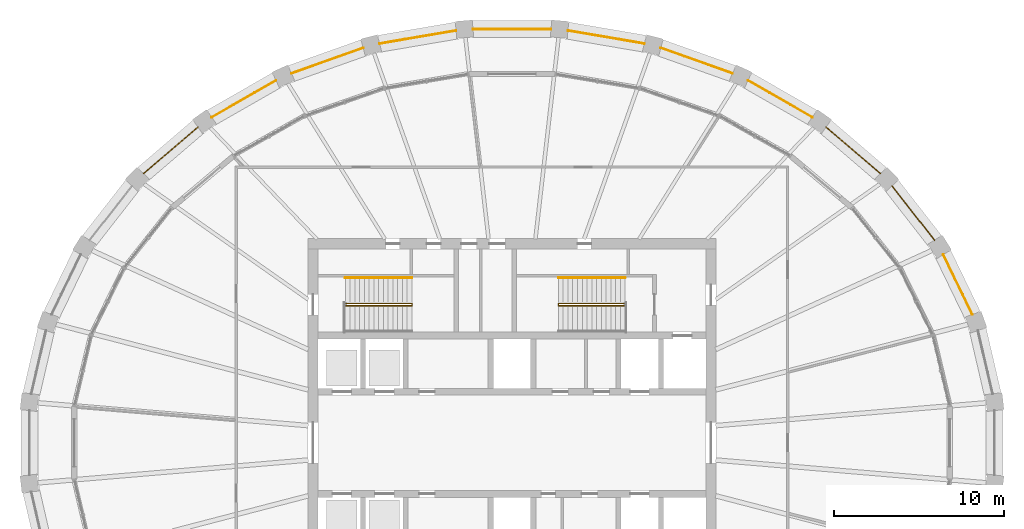
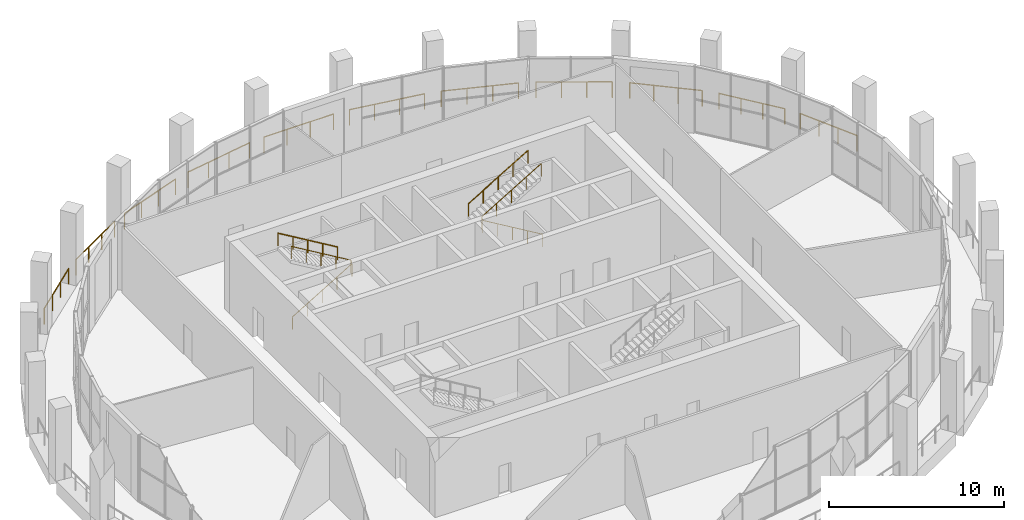
# One storey, part 15 of 16: 15 railings.
"""IFC4 building model written with IfcOpenShell, lengths in metres."""

from ifc_helpers import new_model, si_unit, direction, frame, origin, origin_2d, place, context, subcontext, project, spatial, circle, extrude, material, type_object, element, save


model = new_model("IFC4")

# Units and contexts
model_context = context("Model", 3, precision=1e-05, world=origin(), true_north=direction((0.0, 1.0)))
body_context = subcontext(model_context, "Body", "Model", "MODEL_VIEW")
ifc_project = project(units=[si_unit("LENGTHUNIT", "METRE"), si_unit("AREAUNIT", "SQUARE_METRE"), si_unit("VOLUMEUNIT", "CUBIC_METRE"), si_unit("PLANEANGLEUNIT", "RADIAN"), si_unit("MASSUNIT", "GRAM", prefix="KILO")], contexts=[model_context])

# Site, building, storey
site_placement = place(None, origin())
site = spatial("IfcSite", under=ifc_project, at=site_placement, CompositionType="ELEMENT")
building_placement = place(site_placement, origin())
building = spatial("IfcBuilding", under=site, at=building_placement, Name="Halqa Exchange Tower", CompositionType="ELEMENT")
storey_placement = place(building_placement, frame((0.0, 0.0, 333.300048828125)))
storey = spatial("IfcBuildingStorey", under=building, at=storey_placement, Name="L78", CompositionType="ELEMENT", Elevation=333.300048828125)

# Railings
ifc_material = material(Name="Stainless steel", Category="steel")
railing_type_1 = type_object("IfcRailingType", Name="Guard 1100 stainless steel", PredefinedType="GUARDRAIL", material=ifc_material)
railing_1_placement = place(storey_placement, frame((27.055419921875, 7.54150390625, 0.0)))
element("IfcRailing", 1, at=railing_1_placement, inside=storey, type_object=railing_type_1, Name="Loggia guard 2", PredefinedType="GUARDRAIL", context=body_context, shape_type="SweptSolid", body=[
    extrude(circle(Radius=0.02392578125, at=origin_2d()), frame((0.0, 0.0, 1.076171875), z_axis=(-0.435146748862, 0.900359543158, 0.0), x_axis=(-0.900359543158, -0.435146748862, 0.0)), (0.0, 0.0, 1.0), 3.913818359375),
    extrude(circle(Radius=0.02099609375, at=origin_2d()), origin(), (0.0, 0.0, 1.0), 1.052001953125),
    extrude(circle(Radius=0.02099609375, at=origin_2d()), frame((-0.567626953125, 1.174560546875, 0.0)), (0.0, 0.0, 1.0), 1.052001953125),
    extrude(circle(Radius=0.02099609375, at=origin_2d()), frame((-1.135498046875, 2.349365234375, 0.0)), (0.0, 0.0, 1.0), 1.052001953125),
    extrude(circle(Radius=0.02099609375, at=origin_2d()), frame((-1.703125, 3.52392578125, 0.0)), (0.0, 0.0, 1.0), 1.052001953125),
])
railing_2_placement = place(storey_placement, frame((24.827392578125, 11.909912109375, 0.0)))
element("IfcRailing", 2, at=railing_2_placement, inside=storey, type_object=railing_type_1, Name="Loggia guard 3", PredefinedType="GUARDRAIL", context=body_context, shape_type="SweptSolid", body=[
    extrude(circle(Radius=0.02392578125, at=origin_2d()), frame((0.0, 0.0, 1.076171875), z_axis=(-0.614821078368, 0.788666622594, 0.0), x_axis=(-0.788666622594, -0.614821078368, 0.0)), (0.0, 0.0, 1.0), 4.048828125),
    extrude(circle(Radius=0.02099609375, at=origin_2d()), origin(), (0.0, 0.0, 1.0), 1.052001953125),
    extrude(circle(Radius=0.02099609375, at=origin_2d()), frame((-0.829833984375, 1.064453125, 0.0)), (0.0, 0.0, 1.0), 1.052001953125),
    extrude(circle(Radius=0.02099609375, at=origin_2d()), frame((-1.659423828125, 2.128662109375, 0.0)), (0.0, 0.0, 1.0), 1.052001953125),
    extrude(circle(Radius=0.02099609375, at=origin_2d()), frame((-2.4892578125, 3.193115234375, 0.0)), (0.0, 0.0, 1.0), 1.052001953125),
])
railing_3_placement = place(storey_placement, frame((21.651123046875, 15.82275390625, 0.0)))
element("IfcRailing", 3, at=railing_3_placement, inside=storey, type_object=railing_type_1, Name="Loggia guard 4", PredefinedType="GUARDRAIL", context=body_context, shape_type="SweptSolid", body=[
    extrude(circle(Radius=0.02392578125, at=origin_2d()), frame((0.0, 0.0, 1.076171875), z_axis=(-0.75927300229, 0.650772239723, 0.0), x_axis=(-0.650772239723, -0.75927300229, 0.0)), (0.0, 0.0, 1.0), 4.203125),
    extrude(circle(Radius=0.02099609375, at=origin_2d()), origin(), (0.0, 0.0, 1.0), 1.052001953125),
    extrude(circle(Radius=0.02099609375, at=origin_2d()), frame((-1.063720703125, 0.911865234375, 0.0)), (0.0, 0.0, 1.0), 1.052001953125),
    extrude(circle(Radius=0.02099609375, at=origin_2d()), frame((-2.127685546875, 1.823486328125, 0.0)), (0.0, 0.0, 1.0), 1.052001953125),
    extrude(circle(Radius=0.02099609375, at=origin_2d()), frame((-3.19140625, 2.7353515625, 0.0)), (0.0, 0.0, 1.0), 1.052001953125),
])
railing_4_placement = place(storey_placement, frame((17.646240234375, 19.132080078125, 0.0)))
element("IfcRailing", 4, at=railing_4_placement, inside=storey, type_object=railing_type_1, Name="Loggia guard 5", PredefinedType="GUARDRAIL", context=body_context, shape_type="SweptSolid", body=[
    extrude(circle(Radius=0.02392578125, at=origin_2d()), frame((0.0, 0.0, 1.076171875), z_axis=(-0.867752650497, 0.496996315434, 0.0), x_axis=(-0.496996315434, -0.867752650497, 0.0)), (0.0, 0.0, 1.0), 4.353271484375),
    extrude(circle(Radius=0.02099609375, at=origin_2d()), origin(), (0.0, 0.0, 1.0), 1.052001953125),
    extrude(circle(Radius=0.02099609375, at=origin_2d()), frame((-1.25927734375, 0.72119140625, 0.0)), (0.0, 0.0, 1.0), 1.052001953125),
    extrude(circle(Radius=0.02099609375, at=origin_2d()), frame((-2.518310546875, 1.4423828125, 0.0)), (0.0, 0.0, 1.0), 1.052001953125),
    extrude(circle(Radius=0.02099609375, at=origin_2d()), frame((-3.777587890625, 2.16357421875, 0.0)), (0.0, 0.0, 1.0), 1.052001953125),
])
railing_5_placement = place(storey_placement, frame((12.963623046875, 21.71142578125, 0.0)))
element("IfcRailing", 5, at=railing_5_placement, inside=storey, type_object=railing_type_1, Name="Loggia guard 6", PredefinedType="GUARDRAIL", context=body_context, shape_type="SweptSolid", body=[
    extrude(circle(Radius=0.02392578125, at=origin_2d()), frame((0.0, 0.0, 1.076171875), z_axis=(-0.942364531835, 0.334587939321, 0.0), x_axis=(-0.334587939321, -0.942364531835, 0.0)), (0.0, 0.0, 1.0), 4.477294921875),
    extrude(circle(Radius=0.02099609375, at=origin_2d()), origin(), (0.0, 0.0, 1.0), 1.052001953125),
    extrude(circle(Radius=0.02099609375, at=origin_2d()), frame((-1.406494140625, 0.499267578125, 0.0)), (0.0, 0.0, 1.0), 1.052001953125),
    extrude(circle(Radius=0.02099609375, at=origin_2d()), frame((-2.812744140625, 0.998779296875, 0.0)), (0.0, 0.0, 1.0), 1.052001953125),
    extrude(circle(Radius=0.02099609375, at=origin_2d()), frame((-4.21923828125, 1.498046875, 0.0)), (0.0, 0.0, 1.0), 1.052001953125),
])
railing_6_placement = place(storey_placement, frame((7.7802734375, 23.460693359375, 0.0)))
element("IfcRailing", 6, at=railing_6_placement, inside=storey, type_object=railing_type_1, Name="Loggia guard 7", PredefinedType="GUARDRAIL", context=body_context, shape_type="SweptSolid", body=[
    extrude(circle(Radius=0.02392578125, at=origin_2d()), frame((0.0, 0.0, 1.076171875), z_axis=(-0.985768911013, 0.168106079843, 0.0), x_axis=(-0.168106079843, -0.985768911013, 0.0)), (0.0, 0.0, 1.0), 4.558837890625),
    extrude(circle(Radius=0.02099609375, at=origin_2d()), origin(), (0.0, 0.0, 1.0), 1.052001953125),
    extrude(circle(Radius=0.02099609375, at=origin_2d()), frame((-1.498046875, 0.25537109375, 0.0)), (0.0, 0.0, 1.0), 1.052001953125),
    extrude(circle(Radius=0.02099609375, at=origin_2d()), frame((-2.995849609375, 0.510986328125, 0.0)), (0.0, 0.0, 1.0), 1.052001953125),
    extrude(circle(Radius=0.02099609375, at=origin_2d()), frame((-4.493896484375, 0.766357421875, 0.0)), (0.0, 0.0, 1.0), 1.052001953125),
])
railing_7_placement = place(storey_placement, frame((2.29345703125, 24.31103515625, 0.0)))
element("IfcRailing", 7, at=railing_7_placement, inside=storey, type_object=railing_type_1, Name="Loggia guard 8", PredefinedType="GUARDRAIL", context=body_context, shape_type="SweptSolid", body=[
    extrude(circle(Radius=0.02392578125, at=origin_2d()), frame((0.0, 0.0, 1.076171875), z_axis=(-1.0, 0.0, 0.0), x_axis=(0.0, -1.0, 0.0)), (0.0, 0.0, 1.0), 4.5869140625),
    extrude(circle(Radius=0.02099609375, at=origin_2d()), origin(), (0.0, 0.0, 1.0), 1.052001953125),
    extrude(circle(Radius=0.02099609375, at=origin_2d()), frame((-1.529052734375, 0.0, 0.0)), (0.0, 0.0, 1.0), 1.052001953125),
    extrude(circle(Radius=0.02099609375, at=origin_2d()), frame((-3.057861328125, 0.0, 0.0)), (0.0, 0.0, 1.0), 1.052001953125),
    extrude(circle(Radius=0.02099609375, at=origin_2d()), frame((-4.5869140625, 0.0, 0.0)), (0.0, 0.0, 1.0), 1.052001953125),
])
railing_8_placement = place(storey_placement, frame((-3.286376953125, 24.22705078125, 0.0)))
element("IfcRailing", 8, at=railing_8_placement, inside=storey, type_object=railing_type_1, Name="Loggia guard 9", PredefinedType="GUARDRAIL", context=body_context, shape_type="SweptSolid", body=[
    extrude(circle(Radius=0.02392578125, at=origin_2d()), frame((0.0, 0.0, 1.076171875), z_axis=(-0.985768911013, -0.168106079843, 0.0), x_axis=(0.168106079843, -0.985768911013, 0.0)), (0.0, 0.0, 1.0), 4.558837890625),
    extrude(circle(Radius=0.02099609375, at=origin_2d()), origin(), (0.0, 0.0, 1.0), 1.052001953125),
    extrude(circle(Radius=0.02099609375, at=origin_2d()), frame((-1.498046875, -0.25537109375, 0.0)), (0.0, 0.0, 1.0), 1.052001953125),
    extrude(circle(Radius=0.02099609375, at=origin_2d()), frame((-2.995849609375, -0.510986328125, 0.0)), (0.0, 0.0, 1.0), 1.052001953125),
    extrude(circle(Radius=0.02099609375, at=origin_2d()), frame((-4.493896484375, -0.766357421875, 0.0)), (0.0, 0.0, 1.0), 1.052001953125),
])
railing_9_placement = place(storey_placement, frame((-8.744384765625, 23.20947265625, 0.0)))
element("IfcRailing", 9, at=railing_9_placement, inside=storey, type_object=railing_type_1, Name="Loggia guard 10", PredefinedType="GUARDRAIL", context=body_context, shape_type="SweptSolid", body=[
    extrude(circle(Radius=0.02392578125, at=origin_2d()), frame((0.0, 0.0, 1.076171875), z_axis=(-0.942364531835, -0.334587939321, 0.0), x_axis=(0.334587939321, -0.942364531835, 0.0)), (0.0, 0.0, 1.0), 4.477294921875),
    extrude(circle(Radius=0.02099609375, at=origin_2d()), origin(), (0.0, 0.0, 1.0), 1.052001953125),
    extrude(circle(Radius=0.02099609375, at=origin_2d()), frame((-1.406494140625, -0.499267578125, 0.0)), (0.0, 0.0, 1.0), 1.052001953125),
    extrude(circle(Radius=0.02099609375, at=origin_2d()), frame((-2.812744140625, -0.998779296875, 0.0)), (0.0, 0.0, 1.0), 1.052001953125),
    extrude(circle(Radius=0.02099609375, at=origin_2d()), frame((-4.21923828125, -1.498046875, 0.0)), (0.0, 0.0, 1.0), 1.052001953125),
])
railing_10_placement = place(storey_placement, frame((-13.86865234375, 21.295654296875, 0.0)))
element("IfcRailing", 10, at=railing_10_placement, inside=storey, type_object=railing_type_1, Name="Loggia guard 11", PredefinedType="GUARDRAIL", context=body_context, shape_type="SweptSolid", body=[
    extrude(circle(Radius=0.02392578125, at=origin_2d()), frame((0.0, 0.0, 1.076171875), z_axis=(-0.867752650497, -0.496996315434, 0.0), x_axis=(0.496996315434, -0.867752650497, 0.0)), (0.0, 0.0, 1.0), 4.353271484375),
    extrude(circle(Radius=0.02099609375, at=origin_2d()), origin(), (0.0, 0.0, 1.0), 1.052001953125),
    extrude(circle(Radius=0.02099609375, at=origin_2d()), frame((-1.25927734375, -0.72119140625, 0.0)), (0.0, 0.0, 1.0), 1.052001953125),
    extrude(circle(Radius=0.02099609375, at=origin_2d()), frame((-2.518310546875, -1.4423828125, 0.0)), (0.0, 0.0, 1.0), 1.052001953125),
    extrude(circle(Radius=0.02099609375, at=origin_2d()), frame((-3.777587890625, -2.16357421875, 0.0)), (0.0, 0.0, 1.0), 1.052001953125),
])
railing_11_placement = place(storey_placement, frame((-18.459716796875, 18.55810546875, 0.0)))
element("IfcRailing", 11, at=railing_11_placement, inside=storey, type_object=railing_type_1, Name="Loggia guard 12", PredefinedType="GUARDRAIL", context=body_context, shape_type="SweptSolid", body=[
    extrude(circle(Radius=0.02392578125, at=origin_2d()), frame((0.0, 0.0, 1.076171875), z_axis=(-0.75927300229, -0.650772239723, 0.0), x_axis=(0.650772239723, -0.75927300229, 0.0)), (0.0, 0.0, 1.0), 4.203125),
    extrude(circle(Radius=0.02099609375, at=origin_2d()), origin(), (0.0, 0.0, 1.0), 1.052001953125),
    extrude(circle(Radius=0.02099609375, at=origin_2d()), frame((-1.063720703125, -0.911865234375, 0.0)), (0.0, 0.0, 1.0), 1.052001953125),
    extrude(circle(Radius=0.02099609375, at=origin_2d()), frame((-2.127685546875, -1.823486328125, 0.0)), (0.0, 0.0, 1.0), 1.052001953125),
    extrude(circle(Radius=0.02099609375, at=origin_2d()), frame((-3.19140625, -2.7353515625, 0.0)), (0.0, 0.0, 1.0), 1.052001953125),
])
railing_type_2 = type_object("IfcRailingType", Name="Stair handrail 900", PredefinedType="HANDRAIL", material=ifc_material)
railing_12_placement = place(storey_placement, frame((-9.800048828125, 8.06005859375, 0.166748046875)))
element("IfcRailing", 12, at=railing_12_placement, inside=storey, type_object=railing_type_2, Name="Handrail ST1.1", PredefinedType="HANDRAIL", context=body_context, shape_type="SweptSolid", body=[
    extrude(circle(Radius=0.02392578125, at=origin_2d()), frame((0.0, 0.0, 0.8759765625), z_axis=(0.859310244771, 0.0, 0.511454693235), x_axis=(0.0, 1.0, 0.0)), (0.0, 0.0, 1.0), 4.56201171875),
    extrude(circle(Radius=0.02392578125, at=origin_2d()), frame((3.920166015625, 0.0, 3.208984375), z_axis=(0.0, 0.614500226555, 0.788916644243), x_axis=(-1.0, 0.0, 0.0)), (0.0, 0.0, 1.0), 0.21142578125),
    extrude(circle(Radius=0.02392578125, at=origin_2d()), frame((3.920166015625, 0.1298828125, 3.3759765625), z_axis=(-0.859310244771, 0.0, 0.511454693235), x_axis=(0.0, -1.0, 0.0)), (0.0, 0.0, 1.0), 4.56201171875),
    extrude(circle(Radius=0.02099609375, at=origin_2d()), origin(), (0.0, 0.0, 1.0), 0.851806640625),
    extrude(circle(Radius=0.02099609375, at=origin_2d()), frame((0.97998046875, 0.0, 0.583251953125)), (0.0, 0.0, 1.0), 0.851806640625),
    extrude(circle(Radius=0.02099609375, at=origin_2d()), frame((1.9599609375, 0.0, 1.16650390625)), (0.0, 0.0, 1.0), 0.851806640625),
    extrude(circle(Radius=0.02099609375, at=origin_2d()), frame((2.940185546875, 0.0, 1.75)), (0.0, 0.0, 1.0), 0.851806640625),
    extrude(circle(Radius=0.02099609375, at=origin_2d()), frame((3.920166015625, 0.0, 2.333251953125)), (0.0, 0.0, 1.0), 0.851806640625),
    extrude(circle(Radius=0.02099609375, at=origin_2d()), frame((3.920166015625, 0.1298828125, 2.5)), (0.0, 0.0, 1.0), 0.851806640625),
    extrude(circle(Radius=0.02099609375, at=origin_2d()), frame((2.940185546875, 0.1298828125, 3.083251953125)), (0.0, 0.0, 1.0), 0.851806640625),
    extrude(circle(Radius=0.02099609375, at=origin_2d()), frame((1.9599609375, 0.1298828125, 3.66650390625)), (0.0, 0.0, 1.0), 0.851806640625),
    extrude(circle(Radius=0.02099609375, at=origin_2d()), frame((0.97998046875, 0.1298828125, 4.25)), (0.0, 0.0, 1.0), 0.851806640625),
    extrude(circle(Radius=0.02099609375, at=origin_2d()), frame((0.0, 0.1298828125, 4.833251953125)), (0.0, 0.0, 1.0), 0.851806640625),
])
railing_13_placement = place(storey_placement, frame((-5.8798828125, 9.699951171875, 2.666748046875)))
element("IfcRailing", 13, at=railing_13_placement, inside=storey, type_object=railing_type_2, Name="Handrail ST1.3", PredefinedType="HANDRAIL", context=body_context, shape_type="SweptSolid", body=[
    extrude(circle(Radius=0.02392578125, at=origin_2d()), frame((0.0, 0.0, 0.8759765625), z_axis=(-0.859310244771, 0.0, 0.511454693235), x_axis=(0.0, -1.0, 0.0)), (0.0, 0.0, 1.0), 4.56201171875),
    extrude(circle(Radius=0.02099609375, at=origin_2d()), origin(), (0.0, 0.0, 1.0), 0.851806640625),
    extrude(circle(Radius=0.02099609375, at=origin_2d()), frame((-0.97998046875, 0.0, 0.583251953125)), (0.0, 0.0, 1.0), 0.851806640625),
    extrude(circle(Radius=0.02099609375, at=origin_2d()), frame((-1.9599609375, 0.0, 1.16650390625)), (0.0, 0.0, 1.0), 0.851806640625),
    extrude(circle(Radius=0.02099609375, at=origin_2d()), frame((-2.940185546875, 0.0, 1.75)), (0.0, 0.0, 1.0), 0.851806640625),
    extrude(circle(Radius=0.02099609375, at=origin_2d()), frame((-3.920166015625, 0.0, 2.333251953125)), (0.0, 0.0, 1.0), 0.851806640625),
])
railing_14_placement = place(storey_placement, frame((6.64990234375, 8.06005859375, 0.166748046875)))
element("IfcRailing", 14, at=railing_14_placement, inside=storey, type_object=railing_type_2, Name="Handrail ST2.1", PredefinedType="HANDRAIL", context=body_context, shape_type="SweptSolid", body=[
    extrude(circle(Radius=0.02392578125, at=origin_2d()), frame((0.0, 0.0, 0.8759765625), z_axis=(-0.859296244711, 0.0, 0.511478214419), x_axis=(0.0, -1.0, 0.0)), (0.0, 0.0, 1.0), 4.561767578125),
    extrude(circle(Radius=0.02392578125, at=origin_2d()), frame((-3.919921875, 0.0, 3.208984375), z_axis=(0.0, 0.614500226555, 0.788916644243), x_axis=(-1.0, 0.0, 0.0)), (0.0, 0.0, 1.0), 0.21142578125),
    extrude(circle(Radius=0.02392578125, at=origin_2d()), frame((-3.919921875, 0.1298828125, 3.3759765625), z_axis=(0.859296244711, 0.0, 0.511478214419), x_axis=(0.0, 1.0, 0.0)), (0.0, 0.0, 1.0), 4.561767578125),
    extrude(circle(Radius=0.02099609375, at=origin_2d()), origin(), (0.0, 0.0, 1.0), 0.851806640625),
    extrude(circle(Radius=0.02099609375, at=origin_2d()), frame((-0.97998046875, 0.0, 0.583251953125)), (0.0, 0.0, 1.0), 0.851806640625),
    extrude(circle(Radius=0.02099609375, at=origin_2d()), frame((-1.9599609375, 0.0, 1.16650390625)), (0.0, 0.0, 1.0), 0.851806640625),
    extrude(circle(Radius=0.02099609375, at=origin_2d()), frame((-2.93994140625, 0.0, 1.75)), (0.0, 0.0, 1.0), 0.851806640625),
    extrude(circle(Radius=0.02099609375, at=origin_2d()), frame((-3.919921875, 0.0, 2.333251953125)), (0.0, 0.0, 1.0), 0.851806640625),
    extrude(circle(Radius=0.02099609375, at=origin_2d()), frame((-3.919921875, 0.1298828125, 2.5)), (0.0, 0.0, 1.0), 0.851806640625),
    extrude(circle(Radius=0.02099609375, at=origin_2d()), frame((-2.93994140625, 0.1298828125, 3.083251953125)), (0.0, 0.0, 1.0), 0.851806640625),
    extrude(circle(Radius=0.02099609375, at=origin_2d()), frame((-1.9599609375, 0.1298828125, 3.66650390625)), (0.0, 0.0, 1.0), 0.851806640625),
    extrude(circle(Radius=0.02099609375, at=origin_2d()), frame((-0.97998046875, 0.1298828125, 4.25)), (0.0, 0.0, 1.0), 0.851806640625),
    extrude(circle(Radius=0.02099609375, at=origin_2d()), frame((0.0, 0.1298828125, 4.833251953125)), (0.0, 0.0, 1.0), 0.851806640625),
])
railing_15_placement = place(storey_placement, frame((2.72998046875, 9.699951171875, 2.666748046875)))
element("IfcRailing", 15, at=railing_15_placement, inside=storey, type_object=railing_type_2, Name="Handrail ST2.3", PredefinedType="HANDRAIL", context=body_context, shape_type="SweptSolid", body=[
    extrude(circle(Radius=0.02392578125, at=origin_2d()), frame((0.0, 0.0, 0.8759765625), z_axis=(0.859296244711, 0.0, 0.511478214419), x_axis=(0.0, 1.0, 0.0)), (0.0, 0.0, 1.0), 4.561767578125),
    extrude(circle(Radius=0.02099609375, at=origin_2d()), origin(), (0.0, 0.0, 1.0), 0.851806640625),
    extrude(circle(Radius=0.02099609375, at=origin_2d()), frame((0.97998046875, 0.0, 0.583251953125)), (0.0, 0.0, 1.0), 0.851806640625),
    extrude(circle(Radius=0.02099609375, at=origin_2d()), frame((1.9599609375, 0.0, 1.16650390625)), (0.0, 0.0, 1.0), 0.851806640625),
    extrude(circle(Radius=0.02099609375, at=origin_2d()), frame((2.93994140625, 0.0, 1.75)), (0.0, 0.0, 1.0), 0.851806640625),
    extrude(circle(Radius=0.02099609375, at=origin_2d()), frame((3.919921875, 0.0, 2.333251953125)), (0.0, 0.0, 1.0), 0.851806640625),
])

save(model, "model.ifc")
